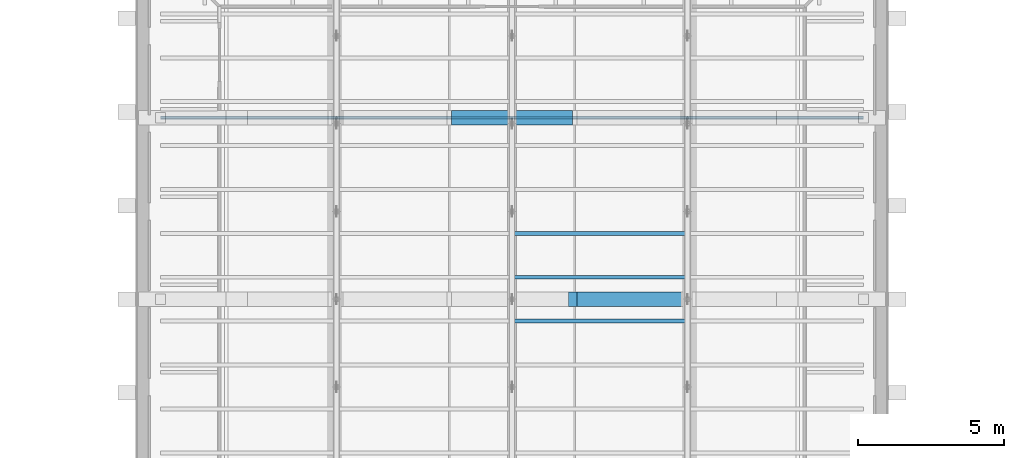
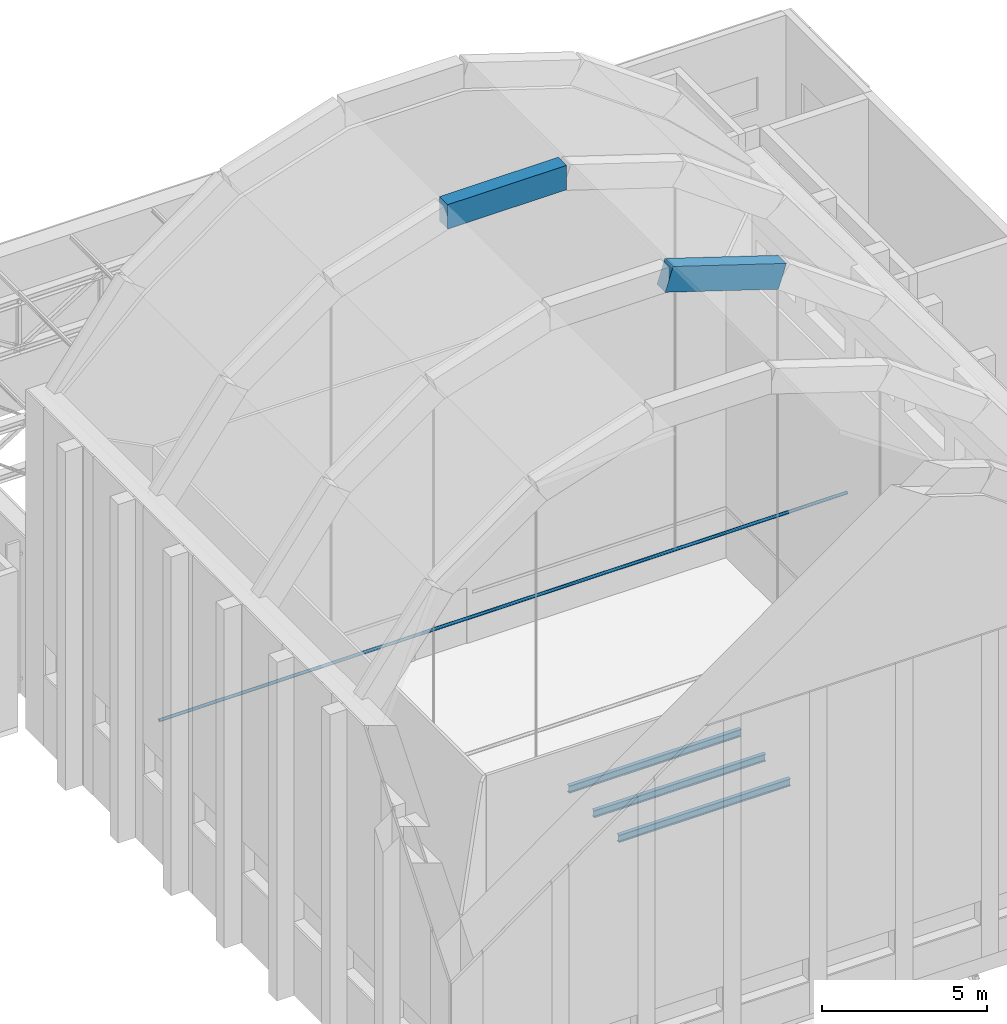
# One storey, part 22 of 55: 5 beams, 1 member.
"""IFC4 building model written with IfcOpenShell, lengths in metres."""

from ifc_helpers import new_model, si_unit, direction, frame, origin, origin_2d, place, context, subcontext, project, spatial, rectangle, hollow_circle, i_section, extrude, material, material_profile, profile_set, type_object, element, save


model = new_model("IFC4")

# Units and contexts
model_context = context("Model", 3, precision=1e-05, world=origin(), true_north=direction((0.0, 1.0)))
body_context = subcontext(model_context, "Body", "Model", "MODEL_VIEW")
ifc_project = project(units=[si_unit("LENGTHUNIT", "METRE"), si_unit("AREAUNIT", "SQUARE_METRE"), si_unit("VOLUMEUNIT", "CUBIC_METRE"), si_unit("PLANEANGLEUNIT", "RADIAN"), si_unit("MASSUNIT", "GRAM", prefix="KILO")], contexts=[model_context])

# Site, building, storey
site_placement = place(None, origin())
site = spatial("IfcSite", under=ifc_project, at=site_placement, CompositionType="ELEMENT")
building_placement = place(site_placement, origin())
building = spatial("IfcBuilding", under=site, at=building_placement, Name="Lunette Opera House", CompositionType="ELEMENT")
storey_placement = place(building_placement, frame((0.0, 0.0, 34.0)))
storey = spatial("IfcBuildingStorey", under=building, at=storey_placement, Name="L06", CompositionType="ELEMENT", Elevation=34.0)

# Beams
ifc_material_1 = material(Name="Concrete C40/50", Category="concrete")
ifc_material_profile_1 = material_profile(ifc_material_1, rectangle(XDim=0.5, YDim=0.89990234375, at=origin_2d()), Name="ARCH BEAM 500X900")
ifc_profile_set_1 = profile_set([ifc_material_profile_1], Name="Concrete C40/50")
beam_type_1 = type_object("IfcBeamType", Name="ARCH BEAM 500X900", PredefinedType="BEAM", material=ifc_profile_set_1)
beam_1_placement = place(storey_placement, frame((98.075927734375, 108.0, 19.251953125), z_axis=(0.952116578893, 0.0, -0.305735212556), x_axis=(0.0, 1.0, 0.0)))
element("IfcBeam", 1, at=beam_1_placement, inside=storey, type_object=beam_type_1, Name="beam-ST-L06-EAT3-5", PredefinedType="BEAM", context=body_context, shape_type="SweptSolid", body=[
    extrude(rectangle(XDim=0.5, YDim=0.89990234375, at=origin_2d()), origin(), (0.0, 0.0, 1.0), 4.154052734375),
])
beam_2_placement = place(storey_placement, frame((93.924072265625, 114.199951171875, 19.251953125), z_axis=(1.0, 0.0, 0.0), x_axis=(0.0, 1.0, 0.0)))
element("IfcBeam", 2, at=beam_2_placement, inside=storey, type_object=beam_type_1, Name="beam-ST-L06-EAT4-4", PredefinedType="BEAM", context=body_context, shape_type="SweptSolid", body=[
    extrude(rectangle(XDim=0.5, YDim=0.89990234375, at=origin_2d()), origin(), (0.0, 0.0, 1.0), 4.15185546875),
])
ifc_material_2 = material(Name="Steel S355", Category="steel")
ifc_material_profile_2 = material_profile(ifc_material_2, i_section(OverallWidth=0.135009765625, OverallDepth=0.27001953125, WebThickness=0.006591796875, FlangeThickness=0.01025390625, FilletRadius=0.014892578125, at=origin_2d()), Name="IPE 270")
ifc_profile_set_2 = profile_set([ifc_material_profile_2], Name="Steel S355")
beam_type_2 = type_object("IfcBeamType", Name="STEEL BEAM IPE 270", PredefinedType="BEAM", material=ifc_profile_set_2)
for number, where, z_axis, x_axis, name in (
    (3, (96.0, 107.25, -0.3349609375), (1.0, 0.0, 0.0), (0.0, 1.0, 0.0), "beam-ST-L06-GRID-10725-3"),
    (4, (96.0, 108.75, -0.3349609375), (1.0, 0.0, 0.0), (0.0, 1.0, 0.0), "beam-ST-L06-GRID-10875-3"),
    (5, (96.0, 110.25, -0.3349609375), (1.0, 0.0, 0.0), (0.0, 1.0, 0.0), "beam-ST-L06-GRID-11025-3"),
):
    element("IfcBeam", number, at=place(storey_placement, frame(where, z_axis=z_axis, x_axis=x_axis)), inside=storey, type_object=beam_type_2, Name=name, PredefinedType="BEAM", context=body_context, shape_type="SweptSolid", body=[
        extrude(i_section(OverallWidth=0.135009765625, OverallDepth=0.27001953125, WebThickness=0.006591796875, FlangeThickness=0.01025390625, FilletRadius=0.014892578125, at=origin_2d()), origin(), (0.0, 0.0, 1.0), 6.0),
    ])

# Member
ifc_material_3 = material(Name="Steel S355", Category="steel")
ifc_material_profile_3 = material_profile(ifc_material_3, hollow_circle(Radius=0.05712890625, WallThickness=0.006103515625, at=origin_2d()), Name="CHS 114.3X6")
ifc_profile_set_3 = profile_set([ifc_material_profile_3], Name="Steel S355")
member_type = type_object("IfcMemberType", Name="TIE CHS 114.3X6", PredefinedType="STRUT", material=ifc_profile_set_3)
member_placement = place(storey_placement, frame((83.989990234375, 114.199951171875, 4.0), z_axis=(1.0, 0.0, 0.0), x_axis=(0.0, 1.0, 0.0)))
element("IfcMember", 6, at=member_placement, inside=storey, type_object=member_type, Name="mem-ST-L06-TT4", PredefinedType="STRUT", context=body_context, shape_type="SweptSolid", body=[
    extrude(hollow_circle(Radius=0.05712890625, WallThickness=0.006103515625, at=origin_2d()), origin(), (0.0, 0.0, 1.0), 24.02001953125),
])

save(model, "model.ifc")
